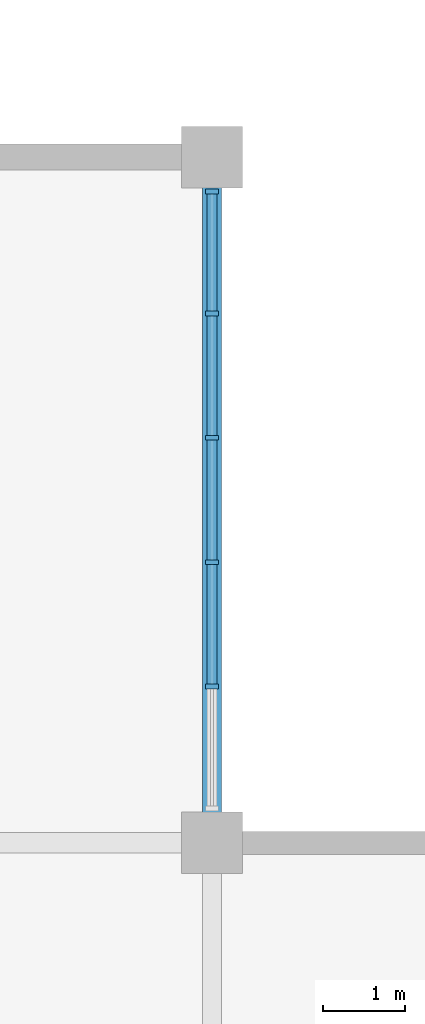
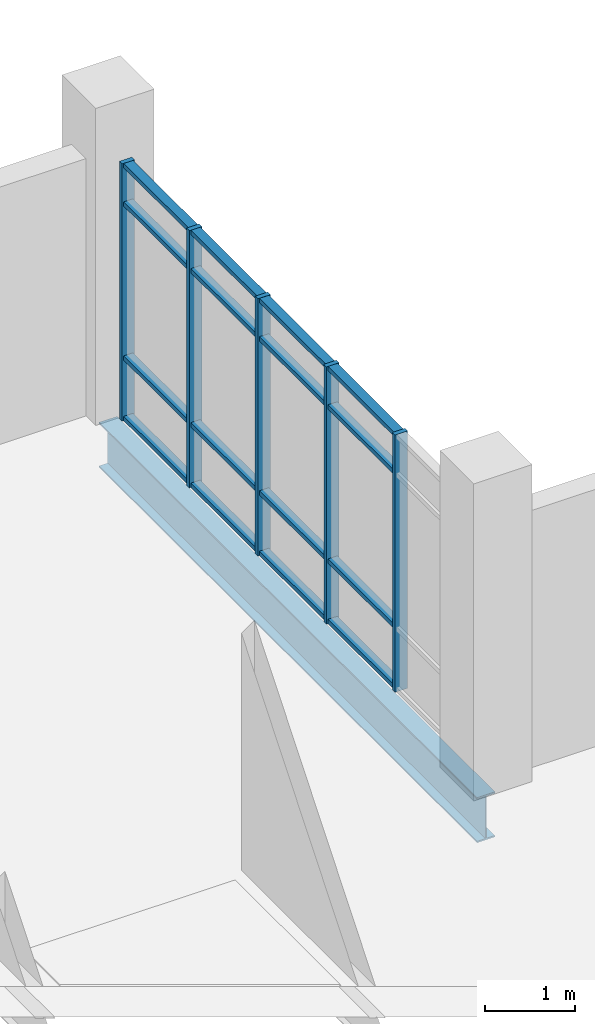
# One storey, part 37 of 86: 21 members, 1 beam, 1 element without a shape of its own.
"""IFC4 building model written with IfcOpenShell, lengths in metres."""

from ifc_helpers import new_model, si_unit, direction, frame, origin, origin_2d, place, context, subcontext, project, spatial, rectangle, i_section, extrude, material, material_profile, profile_set, type_object, element, aggregate, save


model = new_model("IFC4")

# Units and contexts
model_context = context("Model", 3, precision=1e-05, world=origin(), true_north=direction((0.0, 1.0)))
body_context = subcontext(model_context, "Body", "Model", "MODEL_VIEW")
ifc_project = project(units=[si_unit("LENGTHUNIT", "METRE"), si_unit("AREAUNIT", "SQUARE_METRE"), si_unit("VOLUMEUNIT", "CUBIC_METRE"), si_unit("PLANEANGLEUNIT", "RADIAN"), si_unit("MASSUNIT", "GRAM", prefix="KILO")], contexts=[model_context])

# Site, building, storey
site_placement = place(None, origin())
site = spatial("IfcSite", under=ifc_project, at=site_placement, CompositionType="ELEMENT")
building_placement = place(site_placement, origin())
building = spatial("IfcBuilding", under=site, at=building_placement, Name="Oolite Switchyard Hospital", CompositionType="ELEMENT")
storey_placement = place(building_placement, frame((0.0, 0.0, 13.5)))
storey = spatial("IfcBuildingStorey", under=building, at=storey_placement, Name="L03", CompositionType="ELEMENT", Elevation=13.5)

# Beam
ifc_material_1 = material(Name="Steel ASTM A992 Grade 50", Category="steel")
ifc_material_profile_1 = material_profile(ifc_material_1, i_section(OverallWidth=0.22900390625, OverallDepth=0.612060546875, WebThickness=0.011962890625, FlangeThickness=0.02001953125, at=origin_2d()), Name="W24X84")
ifc_profile_set_1 = profile_set([ifc_material_profile_1], Name="Steel ASTM A992 Grade 50")
beam_type = type_object("IfcBeamType", Name="BM-W24X84", PredefinedType="BEAM", material=ifc_profile_set_1)
beam_placement = place(storey_placement, frame((201.60009765625, 67.199951171875, -0.5810546875), z_axis=(0.0, 1.0, 0.0), x_axis=(-1.0, 0.0, 0.0)))
element("IfcBeam", 1, at=beam_placement, inside=storey, type_object=beam_type, Name="L03 Y-Girder 2379", PredefinedType="BEAM", context=body_context, shape_type="SweptSolid", body=[
    extrude(i_section(OverallWidth=0.22900390625, OverallDepth=0.612060546875, WebThickness=0.011962890625, FlangeThickness=0.02001953125, at=origin_2d()), origin(), (0.0, 0.0, 1.0), 8.400146484375),
])

# Curtain wall, members
ifc_material_2 = material(Name="Thermally broken aluminum frame with laminated impact glazing", Category="aluminium")
curtain_wall_type = type_object("IfcCurtainWallType", Name="CW-UNIT-84X43", PredefinedType="USERDEFINED", material=ifc_material_2)
curtain_wall_placement = place(storey_placement, origin())
curtain_wall = element("IfcCurtainWall", 2, at=curtain_wall_placement, inside=storey, type_object=curtain_wall_type, Name="L03 Unitised Curtain Wall 348", ObjectType="UNITISED", PredefinedType="USERDEFINED")
ifc_material_3 = material(Name="Aluminium 6063-T6", Category="aluminium")
ifc_material_profile_2 = material_profile(ifc_material_3, rectangle(XDim=0.159912109375, YDim=0.06005859375, at=origin_2d()), Name="CWM60X160")
ifc_profile_set_2 = profile_set([ifc_material_profile_2], Name="Aluminium 6063-T6")
member_type_1 = type_object("IfcMemberType", Name="CW-MUL-180", PredefinedType="MULLION", material=ifc_profile_set_2)
member_1_placement = place(storey_placement, frame((201.60009765625, 75.179931640625, 0.0), z_axis=(0.0, 0.0, 1.0), x_axis=(1.0, 0.0, 0.0)))
member_1 = element("IfcMember", 3, at=member_1_placement, type_object=member_type_1, Name="CW-09 mullion 1", PredefinedType="MULLION", context=body_context, shape_type="SweptSolid", body=[
    extrude(rectangle(XDim=0.159912109375, YDim=0.06005859375, at=origin_2d()), origin(), (0.0, 0.0, 1.0), 3.489990234375),
])
member_2_placement = place(storey_placement, frame((201.60009765625, 73.68603515625, 0.0), z_axis=(0.0, 0.0, 1.0), x_axis=(1.0, 0.0, 0.0)))
member_2 = element("IfcMember", 4, at=member_2_placement, type_object=member_type_1, Name="CW-09 mullion 2", PredefinedType="MULLION", context=body_context, shape_type="SweptSolid", body=[
    extrude(rectangle(XDim=0.159912109375, YDim=0.06005859375, at=origin_2d()), origin(), (0.0, 0.0, 1.0), 3.489990234375),
])
member_3_placement = place(storey_placement, frame((201.60009765625, 72.162109375, 0.0), z_axis=(0.0, 0.0, 1.0), x_axis=(1.0, 0.0, 0.0)))
member_3 = element("IfcMember", 5, at=member_3_placement, type_object=member_type_1, Name="CW-09 mullion 3", PredefinedType="MULLION", context=body_context, shape_type="SweptSolid", body=[
    extrude(rectangle(XDim=0.159912109375, YDim=0.06005859375, at=origin_2d()), origin(), (0.0, 0.0, 1.0), 3.489990234375),
])
member_4_placement = place(storey_placement, frame((201.60009765625, 70.637939453125, 0.0), z_axis=(0.0, 0.0, 1.0), x_axis=(1.0, 0.0, 0.0)))
member_4 = element("IfcMember", 6, at=member_4_placement, type_object=member_type_1, Name="CW-09 mullion 4", PredefinedType="MULLION", context=body_context, shape_type="SweptSolid", body=[
    extrude(rectangle(XDim=0.159912109375, YDim=0.06005859375, at=origin_2d()), origin(), (0.0, 0.0, 1.0), 3.489990234375),
])
member_5_placement = place(storey_placement, frame((201.60009765625, 69.114013671875, 0.0), z_axis=(0.0, 0.0, 1.0), x_axis=(1.0, 0.0, 0.0)))
member_5 = element("IfcMember", 7, at=member_5_placement, type_object=member_type_1, Name="CW-09 mullion 5", PredefinedType="MULLION", context=body_context, shape_type="SweptSolid", body=[
    extrude(rectangle(XDim=0.159912109375, YDim=0.06005859375, at=origin_2d()), origin(), (0.0, 0.0, 1.0), 3.489990234375),
])
ifc_material_profile_3 = material_profile(ifc_material_3, rectangle(XDim=0.1201171875, YDim=0.06005859375, at=origin_2d()), Name="CWT60X120")
ifc_profile_set_3 = profile_set([ifc_material_profile_3], Name="Aluminium 6063-T6")
member_type_2 = type_object("IfcMemberType", Name="CW-TRN-150", PredefinedType="USERDEFINED", material=ifc_profile_set_3)
member_6_placement = place(storey_placement, frame((201.60009765625, 75.14990234375, 0.030029296875), z_axis=(0.0, -1.0, 0.0), x_axis=(1.0, 0.0, 0.0)))
member_6 = element("IfcMember", 8, at=member_6_placement, type_object=member_type_2, Name="CW-09 transom 1.1", ObjectType="TRANSOM", PredefinedType="USERDEFINED", context=body_context, shape_type="SweptSolid", body=[
    extrude(rectangle(XDim=0.1201171875, YDim=0.06005859375, at=origin_2d()), origin(), (0.0, 0.0, 1.0), 1.433837890625),
])
member_7_placement = place(storey_placement, frame((201.60009765625, 75.14990234375, 0.85009765625), z_axis=(0.0, -1.0, 0.0), x_axis=(1.0, 0.0, 0.0)))
member_7 = element("IfcMember", 9, at=member_7_placement, type_object=member_type_2, Name="CW-09 transom 1.2", ObjectType="TRANSOM", PredefinedType="USERDEFINED", context=body_context, shape_type="SweptSolid", body=[
    extrude(rectangle(XDim=0.1201171875, YDim=0.06005859375, at=origin_2d()), origin(), (0.0, 0.0, 1.0), 1.433837890625),
])
member_8_placement = place(storey_placement, frame((201.60009765625, 75.14990234375, 2.93994140625), z_axis=(0.0, -1.0, 0.0), x_axis=(1.0, 0.0, 0.0)))
member_8 = element("IfcMember", 10, at=member_8_placement, type_object=member_type_2, Name="CW-09 transom 1.3", ObjectType="TRANSOM", PredefinedType="USERDEFINED", context=body_context, shape_type="SweptSolid", body=[
    extrude(rectangle(XDim=0.1201171875, YDim=0.06005859375, at=origin_2d()), origin(), (0.0, 0.0, 1.0), 1.433837890625),
])
member_9_placement = place(storey_placement, frame((201.60009765625, 75.14990234375, 3.4599609375), z_axis=(0.0, -1.0, 0.0), x_axis=(1.0, 0.0, 0.0)))
member_9 = element("IfcMember", 11, at=member_9_placement, type_object=member_type_2, Name="CW-09 transom 1.4", ObjectType="TRANSOM", PredefinedType="USERDEFINED", context=body_context, shape_type="SweptSolid", body=[
    extrude(rectangle(XDim=0.1201171875, YDim=0.06005859375, at=origin_2d()), origin(), (0.0, 0.0, 1.0), 1.433837890625),
])
member_10_placement = place(storey_placement, frame((201.60009765625, 73.656005859375, 0.030029296875), z_axis=(0.0, -1.0, 0.0), x_axis=(1.0, 0.0, 0.0)))
member_10 = element("IfcMember", 12, at=member_10_placement, type_object=member_type_2, Name="CW-09 transom 2.1", ObjectType="TRANSOM", PredefinedType="USERDEFINED", context=body_context, shape_type="SweptSolid", body=[
    extrude(rectangle(XDim=0.1201171875, YDim=0.06005859375, at=origin_2d()), origin(), (0.0, 0.0, 1.0), 1.464111328125),
])
member_11_placement = place(storey_placement, frame((201.60009765625, 73.656005859375, 0.85009765625), z_axis=(0.0, -1.0, 0.0), x_axis=(1.0, 0.0, 0.0)))
member_11 = element("IfcMember", 13, at=member_11_placement, type_object=member_type_2, Name="CW-09 transom 2.2", ObjectType="TRANSOM", PredefinedType="USERDEFINED", context=body_context, shape_type="SweptSolid", body=[
    extrude(rectangle(XDim=0.1201171875, YDim=0.06005859375, at=origin_2d()), origin(), (0.0, 0.0, 1.0), 1.464111328125),
])
member_12_placement = place(storey_placement, frame((201.60009765625, 73.656005859375, 2.93994140625), z_axis=(0.0, -1.0, 0.0), x_axis=(1.0, 0.0, 0.0)))
member_12 = element("IfcMember", 14, at=member_12_placement, type_object=member_type_2, Name="CW-09 transom 2.3", ObjectType="TRANSOM", PredefinedType="USERDEFINED", context=body_context, shape_type="SweptSolid", body=[
    extrude(rectangle(XDim=0.1201171875, YDim=0.06005859375, at=origin_2d()), origin(), (0.0, 0.0, 1.0), 1.464111328125),
])
member_13_placement = place(storey_placement, frame((201.60009765625, 73.656005859375, 3.4599609375), z_axis=(0.0, -1.0, 0.0), x_axis=(1.0, 0.0, 0.0)))
member_13 = element("IfcMember", 15, at=member_13_placement, type_object=member_type_2, Name="CW-09 transom 2.4", ObjectType="TRANSOM", PredefinedType="USERDEFINED", context=body_context, shape_type="SweptSolid", body=[
    extrude(rectangle(XDim=0.1201171875, YDim=0.06005859375, at=origin_2d()), origin(), (0.0, 0.0, 1.0), 1.464111328125),
])
member_14_placement = place(storey_placement, frame((201.60009765625, 72.132080078125, 0.030029296875), z_axis=(0.0, -1.0, 0.0), x_axis=(1.0, 0.0, 0.0)))
member_14 = element("IfcMember", 16, at=member_14_placement, type_object=member_type_2, Name="CW-09 transom 3.1", ObjectType="TRANSOM", PredefinedType="USERDEFINED", context=body_context, shape_type="SweptSolid", body=[
    extrude(rectangle(XDim=0.1201171875, YDim=0.06005859375, at=origin_2d()), origin(), (0.0, 0.0, 1.0), 1.464111328125),
])
member_15_placement = place(storey_placement, frame((201.60009765625, 72.132080078125, 0.85009765625), z_axis=(0.0, -1.0, 0.0), x_axis=(1.0, 0.0, 0.0)))
member_15 = element("IfcMember", 17, at=member_15_placement, type_object=member_type_2, Name="CW-09 transom 3.2", ObjectType="TRANSOM", PredefinedType="USERDEFINED", context=body_context, shape_type="SweptSolid", body=[
    extrude(rectangle(XDim=0.1201171875, YDim=0.06005859375, at=origin_2d()), origin(), (0.0, 0.0, 1.0), 1.464111328125),
])
member_16_placement = place(storey_placement, frame((201.60009765625, 72.132080078125, 2.93994140625), z_axis=(0.0, -1.0, 0.0), x_axis=(1.0, 0.0, 0.0)))
member_16 = element("IfcMember", 18, at=member_16_placement, type_object=member_type_2, Name="CW-09 transom 3.3", ObjectType="TRANSOM", PredefinedType="USERDEFINED", context=body_context, shape_type="SweptSolid", body=[
    extrude(rectangle(XDim=0.1201171875, YDim=0.06005859375, at=origin_2d()), origin(), (0.0, 0.0, 1.0), 1.464111328125),
])
member_17_placement = place(storey_placement, frame((201.60009765625, 72.132080078125, 3.4599609375), z_axis=(0.0, -1.0, 0.0), x_axis=(1.0, 0.0, 0.0)))
member_17 = element("IfcMember", 19, at=member_17_placement, type_object=member_type_2, Name="CW-09 transom 3.4", ObjectType="TRANSOM", PredefinedType="USERDEFINED", context=body_context, shape_type="SweptSolid", body=[
    extrude(rectangle(XDim=0.1201171875, YDim=0.06005859375, at=origin_2d()), origin(), (0.0, 0.0, 1.0), 1.464111328125),
])
member_18_placement = place(storey_placement, frame((201.60009765625, 70.60791015625, 0.030029296875), z_axis=(0.0, -1.0, 0.0), x_axis=(1.0, 0.0, 0.0)))
member_18 = element("IfcMember", 20, at=member_18_placement, type_object=member_type_2, Name="CW-09 transom 4.1", ObjectType="TRANSOM", PredefinedType="USERDEFINED", context=body_context, shape_type="SweptSolid", body=[
    extrude(rectangle(XDim=0.1201171875, YDim=0.06005859375, at=origin_2d()), origin(), (0.0, 0.0, 1.0), 1.4638671875),
])
member_19_placement = place(storey_placement, frame((201.60009765625, 70.60791015625, 0.85009765625), z_axis=(0.0, -1.0, 0.0), x_axis=(1.0, 0.0, 0.0)))
member_19 = element("IfcMember", 21, at=member_19_placement, type_object=member_type_2, Name="CW-09 transom 4.2", ObjectType="TRANSOM", PredefinedType="USERDEFINED", context=body_context, shape_type="SweptSolid", body=[
    extrude(rectangle(XDim=0.1201171875, YDim=0.06005859375, at=origin_2d()), origin(), (0.0, 0.0, 1.0), 1.4638671875),
])
member_20_placement = place(storey_placement, frame((201.60009765625, 70.60791015625, 2.93994140625), z_axis=(0.0, -1.0, 0.0), x_axis=(1.0, 0.0, 0.0)))
member_20 = element("IfcMember", 22, at=member_20_placement, type_object=member_type_2, Name="CW-09 transom 4.3", ObjectType="TRANSOM", PredefinedType="USERDEFINED", context=body_context, shape_type="SweptSolid", body=[
    extrude(rectangle(XDim=0.1201171875, YDim=0.06005859375, at=origin_2d()), origin(), (0.0, 0.0, 1.0), 1.4638671875),
])
member_21_placement = place(storey_placement, frame((201.60009765625, 70.60791015625, 3.4599609375), z_axis=(0.0, -1.0, 0.0), x_axis=(1.0, 0.0, 0.0)))
member_21 = element("IfcMember", 23, at=member_21_placement, type_object=member_type_2, Name="CW-09 transom 4.4", ObjectType="TRANSOM", PredefinedType="USERDEFINED", context=body_context, shape_type="SweptSolid", body=[
    extrude(rectangle(XDim=0.1201171875, YDim=0.06005859375, at=origin_2d()), origin(), (0.0, 0.0, 1.0), 1.4638671875),
])
aggregate(curtain_wall, [member_1, member_2, member_3, member_4, member_5, member_6, member_7, member_8, member_9, member_10, member_11, member_12, member_13, member_14, member_15, member_16, member_17, member_18, member_19, member_20, member_21])

save(model, "model.ifc")
